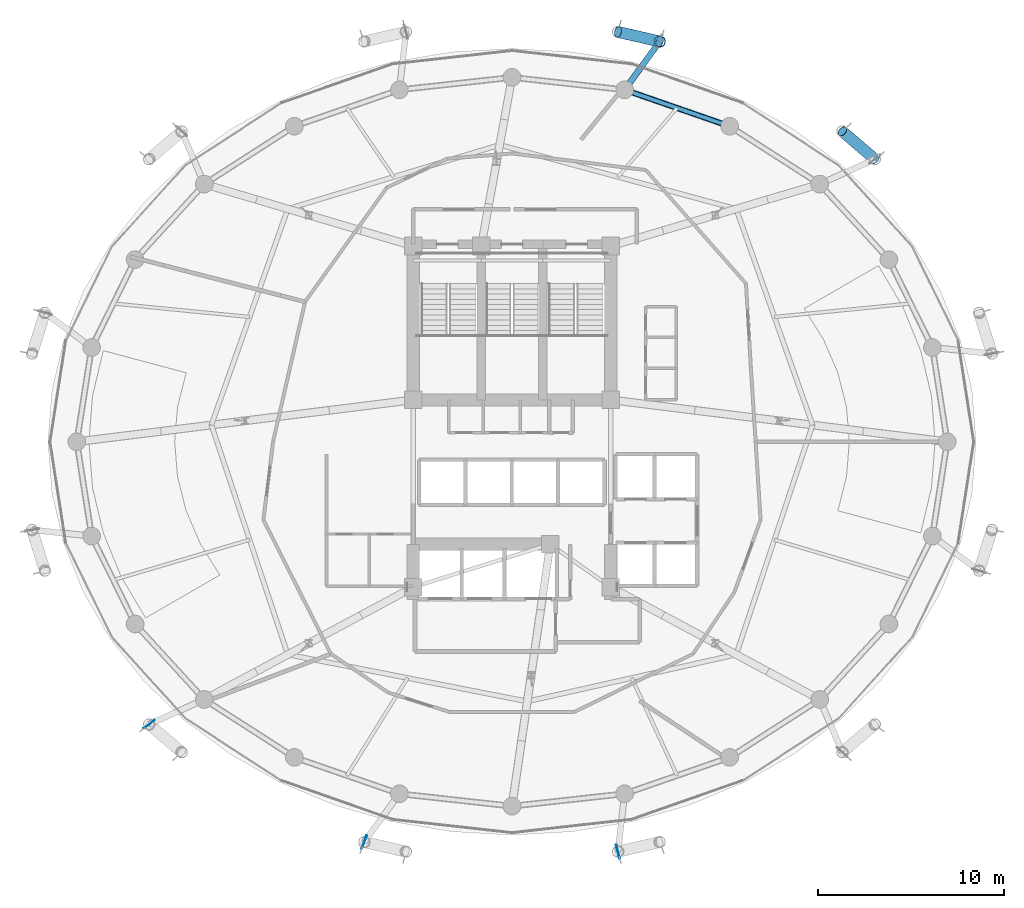
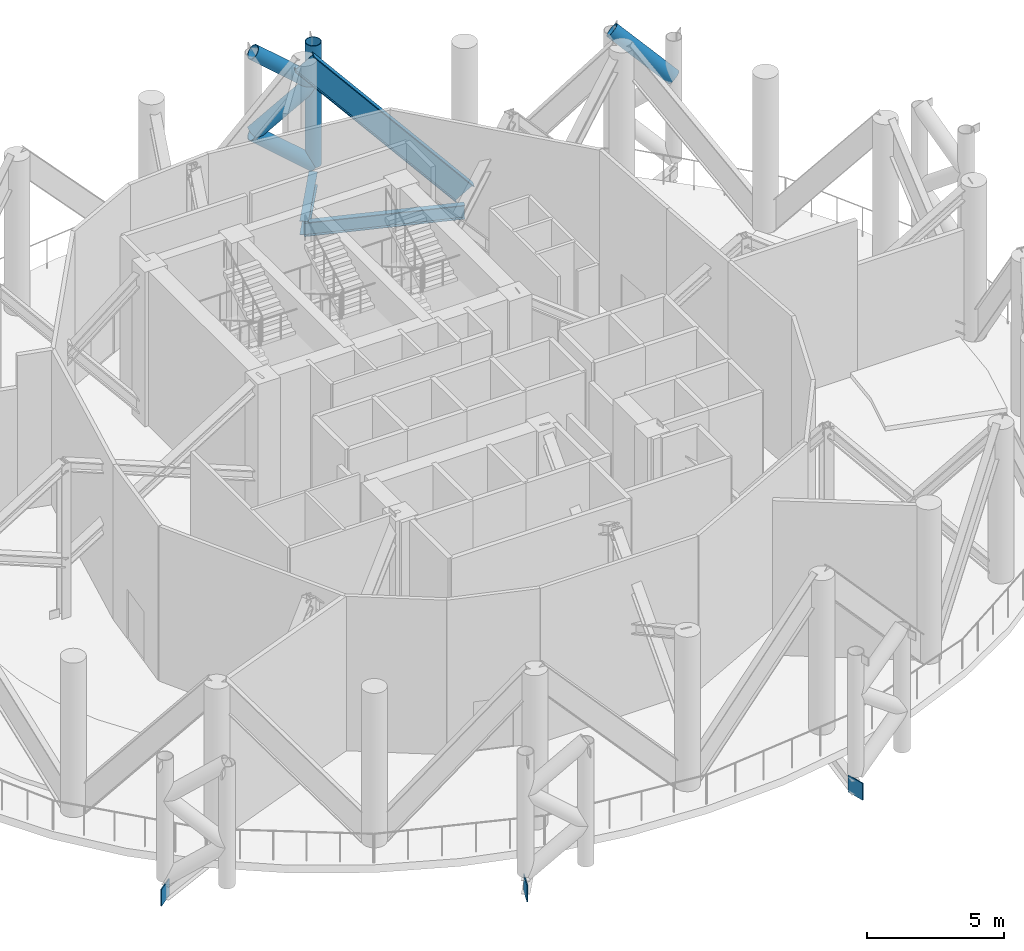
# One storey, part 4 of 18: 6 members, 3 plates, 2 beams.
"""IFC4 building model written with IfcOpenShell, lengths in metres."""

import ifcopenshell
import ifcopenshell.guid

model = None  # the IFC model being written
_history = None  # IfcOwnerHistory: only IFC2X3 demands one
_inside = {}  # id of a spatial element -> (the spatial element, [elements in it])
_under = {}  # id of a project, library or spatial element -> (it, [spatial elements below it])
_declared = {}  # id of a project -> (the project, [libraries it declares])
_typed = {}  # id of a type object -> (the type object, [elements of that type])
_made_of = {}  # id of a material, layer set ... -> (it, [elements and type objects made of it])


def new_model(schema):
    """Start an empty IFC model of exactly this schema.

    Asked for "IFC4X3", IfcOpenShell would pick the latest addendum, in which some entities
    have other attributes; the version numbers below select the first issue.
    IFC2X3 requires an IfcOwnerHistory on every rooted entity: one is made here for all.
    """
    global model, _history
    if schema == "IFC4X3":
        model = ifcopenshell.file(schema_version=(4, 3, 0, 0))
    else:
        model = ifcopenshell.file(schema=schema)
    _inside.clear()
    _under.clear()
    _declared.clear()
    _typed.clear()
    _made_of.clear()
    _history = None
    if model.schema == "IFC2X3":
        org = make("IfcOrganization", Name="unknown")
        user = make(
            "IfcPersonAndOrganization",
            ThePerson=make("IfcPerson", FamilyName="unknown"),
            TheOrganization=org,
        )
        app = make(
            "IfcApplication",
            ApplicationDeveloper=org,
            Version="unknown",
            ApplicationFullName="unknown",
            ApplicationIdentifier="unknown",
        )
        _history = make(
            "IfcOwnerHistory",
            OwningUser=user,
            OwningApplication=app,
            ChangeAction="ADDED",
            CreationDate=0,
        )
    return model


def make(cls, **values):
    """One entity of the class cls with the attributes given. An attribute that is None is left unset."""
    return model.create_entity(
        cls, **{name: value for name, value in values.items() if value is not None}
    )


def rooted(cls, **values):
    """An entity with a GlobalId (a new one), such as an element, a storey or a relation."""
    return make(cls, GlobalId=ifcopenshell.guid.new(), OwnerHistory=_history, **values)


def si_unit(unit_type, name, prefix=None):
    """IfcSIUnit, for example si_unit("LENGTHUNIT", "METRE", prefix="MILLI")."""
    return make("IfcSIUnit", UnitType=unit_type, Prefix=prefix, Name=name)


def assignment(units):
    """IfcUnitAssignment: the units of a project."""
    return None if units is None else make("IfcUnitAssignment", Units=units)


def point(xyz):
    """IfcCartesianPoint."""
    return None if xyz is None else make("IfcCartesianPoint", Coordinates=xyz)


def direction(xyz):
    """IfcDirection."""
    return None if xyz is None else make("IfcDirection", DirectionRatios=xyz)


def frame(location, z_axis=None, x_axis=None):
    """IfcAxis2Placement3D, a coordinate frame: its origin and axes. An axis left out is left unset."""
    return make(
        "IfcAxis2Placement3D",
        Location=point(location),
        Axis=direction(z_axis),
        RefDirection=direction(x_axis),
    )


def frame_2d(location, x_axis=None):
    """IfcAxis2Placement2D, a coordinate frame in the plane: its origin and x axis."""
    return make(
        "IfcAxis2Placement2D", Location=point(location), RefDirection=direction(x_axis)
    )


def origin():
    """The frame at (0, 0, 0) with its axes left unset."""
    return frame((0.0, 0.0, 0.0))


def origin_2d():
    """The frame at (0, 0) in the plane with its x axis left unset."""
    return frame_2d((0.0, 0.0))


def place(relative_to, where):
    """IfcLocalPlacement: puts the frame where relative to a parent placement (None: the world)."""
    return make(
        "IfcLocalPlacement", PlacementRelTo=relative_to, RelativePlacement=where
    )


def context(
    kind, dimensions, precision=None, world=None, true_north=None, identifier=None
):
    """IfcGeometricRepresentationContext, for example the 3D "Model" context."""
    return make(
        "IfcGeometricRepresentationContext",
        ContextIdentifier=identifier,
        ContextType=kind,
        CoordinateSpaceDimension=dimensions,
        Precision=precision,
        WorldCoordinateSystem=world,
        TrueNorth=true_north,
    )


def subcontext(parent, identifier, kind, view, scale=None):
    """IfcGeometricRepresentationSubContext, for example "Body" below "Model"."""
    return make(
        "IfcGeometricRepresentationSubContext",
        ContextIdentifier=identifier,
        ContextType=kind,
        ParentContext=parent,
        TargetScale=scale,
        TargetView=view,
    )


def project(units=None, contexts=None):
    """IfcProject with its units and contexts."""
    return rooted(
        "IfcProject",
        Name="project",
        RepresentationContexts=contexts,
        UnitsInContext=assignment(units),
    )


def spatial(cls, under=None, at=None, **own):
    """A site, building, storey or space (cls), placed at a placement, below another one or the project."""
    s = rooted(cls, ObjectPlacement=at, **own)
    if under is not None:
        _under.setdefault(under.id(), (under, []))[1].append(s)
    return s


def profile(cls, at=None, kind="AREA", **sizes):
    """A parametric profile (cls). Its sizes go by their IFC names, for example OverallWidth=200.0."""
    return make(cls, ProfileType=kind, Position=at, **sizes)


def rectangle(**sizes):
    """IfcRectangleProfileDef."""
    return profile("IfcRectangleProfileDef", **sizes)


def hollow_circle(**sizes):
    """IfcCircleHollowProfileDef."""
    return profile("IfcCircleHollowProfileDef", **sizes)


def i_section(**sizes):
    """IfcIShapeProfileDef."""
    return profile("IfcIShapeProfileDef", **sizes)


def extrude(swept, where, along, depth):
    """IfcExtrudedAreaSolid: the profile swept, set in the frame where, extruded along a direction by depth."""
    return make(
        "IfcExtrudedAreaSolid",
        SweptArea=swept,
        Position=where,
        ExtrudedDirection=direction(along),
        Depth=depth,
    )


def shape(context_of_items, identifier, shape_type, items):
    """IfcShapeRepresentation: the items that make up one representation, for example the "Body"."""
    return make(
        "IfcShapeRepresentation",
        ContextOfItems=context_of_items,
        RepresentationIdentifier=identifier,
        RepresentationType=shape_type,
        Items=items,
    )


def material(Name=None, Category=None):
    """IfcMaterial."""
    return make("IfcMaterial", Name=Name, Category=Category)


def layer(
    of_material, thickness, ventilated=None, Name=None, Category=None, Priority=None
):
    """IfcMaterialLayer: one layer of a wall or slab, of a material (None: an air gap)."""
    return make(
        "IfcMaterialLayer",
        Material=of_material,
        LayerThickness=thickness,
        IsVentilated=ventilated,
        Name=Name,
        Category=Category,
        Priority=Priority,
    )


def layer_set(layers, Name=None):
    """IfcMaterialLayerSet."""
    return make("IfcMaterialLayerSet", MaterialLayers=layers, LayerSetName=Name)


def material_profile(
    of_material, cross_section, Name=None, Category=None, Priority=None
):
    """IfcMaterialProfile: a cross section and its material."""
    return make(
        "IfcMaterialProfile",
        Name=Name,
        Material=of_material,
        Profile=cross_section,
        Priority=Priority,
        Category=Category,
    )


def profile_set(profiles, Name=None, composite=None):
    """IfcMaterialProfileSet."""
    return make(
        "IfcMaterialProfileSet",
        Name=Name,
        MaterialProfiles=profiles,
        CompositeProfile=composite,
    )


def made_of(thing, what):
    """Note that an element or type object is made of a material, layer set ...; save() writes the relation."""
    if what is not None:
        _made_of.setdefault(what.id(), (what, []))[1].append(thing)
    return thing


def type_object(cls, material=None, **own):
    """A type object (cls), such as IfcWallType, which elements share."""
    return made_of(rooted(cls, **own), material)


def element(
    cls,
    number,
    at=None,
    inside=None,
    cuts=None,
    type_object=None,
    material=None,
    context=None,
    identifier="Body",
    shape_type=None,
    held_by="IfcProductDefinitionShape",
    body=None,
    shapes=None,
    **own,
):
    """One element of the class cls, such as IfcWall. Its Tag is "e" and its number.

    at: its placement. inside: the storey or other place that contains it. cuts: it is an
    opening in that element (IfcRelVoidsElement). A single representation is given by context,
    identifier, shape_type and body (its items); several are given by shapes. held_by: the class
    of the entity that holds the representations. save() writes the other relations.
    """
    e = rooted(cls, Tag="e%d" % number, ObjectPlacement=at, **own)
    if body is not None:
        shapes = [shape(context, identifier, shape_type, body)]
    if shapes is not None:
        e.Representation = make(held_by, Representations=shapes)
    if inside is not None:
        _inside.setdefault(inside.id(), (inside, []))[1].append(e)
    if cuts is not None:
        rooted(
            "IfcRelVoidsElement", RelatingBuildingElement=cuts, RelatedOpeningElement=e
        )
    if type_object is not None:
        _typed.setdefault(type_object.id(), (type_object, []))[1].append(e)
    return made_of(e, material)


def aggregate(whole, parts):
    """IfcRelAggregates: a whole, such as a stair, and the parts it consists of."""
    return rooted("IfcRelAggregates", RelatingObject=whole, RelatedObjects=parts)


def save(model, path):
    """Write the relations noted so far, then the file.

    IfcRelAggregates (storeys below a building ...), IfcRelContainedInSpatialStructure (elements
    in a storey), IfcRelDefinesByType, IfcRelAssociatesMaterial and IfcRelDeclares: one each for
    every whole, place, type object, material and project.
    """
    for whole, parts in _under.values():
        aggregate(whole, parts)
    for where, things in _inside.values():
        rooted(
            "IfcRelContainedInSpatialStructure",
            RelatedElements=things,
            RelatingStructure=where,
        )
    for kind, things in _typed.values():
        rooted("IfcRelDefinesByType", RelatedObjects=things, RelatingType=kind)
    for what, things in _made_of.values():
        rooted("IfcRelAssociatesMaterial", RelatedObjects=things, RelatingMaterial=what)
    for by, libraries in _declared.values():
        rooted("IfcRelDeclares", RelatingContext=by, RelatedDefinitions=libraries)
    model.write(path)


model = new_model("IFC4")

# Units and contexts
model_context = context("Model", 3, precision=1e-05, world=origin(), true_north=direction((0.0, 1.0)))
body_context = subcontext(model_context, "Body", "Model", "MODEL_VIEW")
ifc_project = project(units=[si_unit("LENGTHUNIT", "METRE"), si_unit("AREAUNIT", "SQUARE_METRE"), si_unit("VOLUMEUNIT", "CUBIC_METRE"), si_unit("PLANEANGLEUNIT", "RADIAN"), si_unit("MASSUNIT", "GRAM", prefix="KILO")], contexts=[model_context])

# Site, building, storey
site_placement = place(None, origin())
site = spatial("IfcSite", under=ifc_project, at=site_placement, CompositionType="ELEMENT")
building_placement = place(site_placement, origin())
building = spatial("IfcBuilding", under=site, at=building_placement, Name="Nuhasar Tower", CompositionType="ELEMENT")
storey_placement = place(building_placement, frame((0.0, 0.0, 195.949951171875)))
storey = spatial("IfcBuildingStorey", under=building, at=storey_placement, Name="L48", CompositionType="ELEMENT", Elevation=195.949951171875)

# Member
ifc_material_1 = material(Name="Steel S460", Category="steel")
ifc_material_profile_1 = material_profile(ifc_material_1, i_section(OverallWidth=0.306884765625, OverallDepth=0.927001953125, WebThickness=0.019287109375, FlangeThickness=0.031982421875, at=origin_2d()), Name="W36X194")
ifc_profile_set_1 = profile_set([ifc_material_profile_1], Name="Steel S460")
member_type_1 = type_object("IfcMemberType", Name="BLT-DIAG-W36B", PredefinedType="CHORD", material=ifc_profile_set_1)
member_1_placement = place(storey_placement, frame((50.675048828125, 43.73095703125, 0.150146484375), z_axis=(-0.634344465862, 0.219981608518, 0.741090541395), x_axis=(-0.327643636066, -0.944801380051, 0.0)))
element("IfcMember", 1, at=member_1_placement, inside=storey, type_object=member_type_1, Name="L48 Belt Truss Diagonal 05", PredefinedType="CHORD", context=body_context, shape_type="SweptSolid", body=[
    extrude(i_section(OverallWidth=0.306884765625, OverallDepth=0.927001953125, WebThickness=0.019287109375, FlangeThickness=0.031982421875, at=origin_2d()), origin(), (0.0, 0.0, 1.0), 8.878662109375),
])

# Beams
ifc_material_2 = material(Name="Steel S355", Category="steel")
ifc_material_profile_2 = material_profile(ifc_material_2, i_section(OverallWidth=0.22998046875, OverallDepth=0.616943359375, WebThickness=0.01318359375, FlangeThickness=0.022216796875, at=origin_2d()), Name="W24X94")
ifc_profile_set_2 = profile_set([ifc_material_profile_2], Name="Steel S355")
beam_type_1 = type_object("IfcBeamType", Name="BM-RING-W24X94", PredefinedType="SPANDREL", material=ifc_profile_set_2)
beam_1_placement = place(storey_placement, frame((50.675048828125, 43.73095703125, -0.658935546875), z_axis=(-0.944801380051, 0.327643636066, 0.0), x_axis=(-0.327643636066, -0.944801380051, 0.0)))
element("IfcBeam", 2, at=beam_1_placement, inside=storey, type_object=beam_type_1, Name="L48 Perimeter Ring Spandrel 05", PredefinedType="SPANDREL", context=body_context, shape_type="SweptSolid", body=[
    extrude(i_section(OverallWidth=0.22998046875, OverallDepth=0.616943359375, WebThickness=0.01318359375, FlangeThickness=0.022216796875, at=origin_2d()), origin(), (0.0, 0.0, 1.0), 5.961181640625),
])
ifc_material_profile_3 = material_profile(ifc_material_2, i_section(OverallWidth=0.323974609375, OverallDepth=0.611083984375, WebThickness=0.0126953125, FlangeThickness=0.01904296875, at=origin_2d()), Name="W24X104")
ifc_profile_set_3 = profile_set([ifc_material_profile_3], Name="Steel S355")
beam_type_2 = type_object("IfcBeamType", Name="BM-TIE-W24X104", PredefinedType="BEAM", material=ifc_profile_set_3)
beam_2_placement = place(storey_placement, frame((45.04296875, 45.68408203125, -0.656005859375), z_axis=(0.588185286445, 0.808726201387, 0.0), x_axis=(-0.808726201387, 0.588185286445, 0.0)))
element("IfcBeam", 3, at=beam_2_placement, inside=storey, type_object=beam_type_2, Name="L48 Exoskeleton Node Tie Beam 03", PredefinedType="BEAM", context=body_context, shape_type="SweptSolid", body=[
    extrude(i_section(OverallWidth=0.323974609375, OverallDepth=0.611083984375, WebThickness=0.0126953125, FlangeThickness=0.01904296875, at=origin_2d()), origin(), (0.0, 0.0, 1.0), 3.204833984375),
])

# Members
ifc_material_profile_4 = material_profile(ifc_material_1, hollow_circle(Radius=0.304931640625, WallThickness=0.025390625, at=origin_2d()), Name="HSS610X25.4")
ifc_profile_set_4 = profile_set([ifc_material_profile_4], Name="Steel S460")
member_type_2 = type_object("IfcMemberType", Name="EXO-BRONZE-610", PredefinedType="BRACE", material=ifc_profile_set_4)
member_2_placement = place(storey_placement, frame((46.927978515625, 48.27587890625, 0.0), z_axis=(0.0, 0.0, 1.0), x_axis=(1.0, 0.0, 0.0)))
element("IfcMember", 4, at=member_2_placement, inside=storey, type_object=member_type_2, Name="L48 Exoskeleton Chord Column EC-03A", PredefinedType="BRACE", context=body_context, shape_type="SweptSolid", body=[
    extrude(hollow_circle(Radius=0.304931640625, WallThickness=0.025390625, at=origin_2d()), origin(), (0.0, 0.0, 1.0), 5.429931640625),
])
member_3_placement = place(storey_placement, frame((58.470947265625, 41.9619140625, 3.6201171875), z_axis=(-0.5972443964, 0.51082746977, 0.618348143926), x_axis=(-0.649986859795, -0.759945446788, 0.0)))
element("IfcMember", 5, at=member_3_placement, inside=storey, type_object=member_type_2, Name="L48 Bronze Diagrid Brace W3-02", PredefinedType="BRACE", context=body_context, shape_type="SweptSolid", body=[
    extrude(hollow_circle(Radius=0.304931640625, WallThickness=0.025390625, at=origin_2d()), origin(), (0.0, 0.0, 1.0), 2.9267578125),
])
for number, where, z_axis, x_axis, name in (
    (6, (46.927978515625, 48.27587890625, 0.0), (-0.765968109911, 0.175664689042, 0.618413107577), (-0.223533724104, -0.974696195842, 0.0), "L48 Bronze Diagrid Brace W1-03"),
    (7, (44.68603515625, 48.7900390625, 1.81005859375), (0.765968109911, -0.175664689042, 0.618413107577), (0.223533724104, 0.974696195842, 0.0), "L48 Bronze Diagrid Brace W2-03"),
):
    element("IfcMember", number, at=place(storey_placement, frame(where, z_axis=z_axis, x_axis=x_axis)), inside=storey, type_object=member_type_2, Name=name, PredefinedType="BRACE", context=body_context, shape_type="SweptSolid", body=[
        extrude(hollow_circle(Radius=0.304931640625, WallThickness=0.025390625, at=origin_2d()), origin(), (0.0, 0.0, 1.0), 2.927001953125),
    ])
member_4_placement = place(storey_placement, frame((46.927978515625, 48.27587890625, 3.6201171875), z_axis=(-0.766007621072, 0.175673750406, 0.618361591529), x_axis=(-0.223533724104, -0.974696195842, 0.0)))
element("IfcMember", 8, at=member_4_placement, inside=storey, type_object=member_type_2, Name="L48 Bronze Diagrid Brace W3-03", PredefinedType="BRACE", context=body_context, shape_type="SweptSolid", body=[
    extrude(hollow_circle(Radius=0.304931640625, WallThickness=0.025390625, at=origin_2d()), origin(), (0.0, 0.0, 1.0), 2.9267578125),
])

# Plates
ifc_layer = layer(ifc_material_1, 0.0400390625)
ifc_layer_set = layer_set([ifc_layer], Name="Steel S460")
plate_type = type_object("IfcPlateType", Name="PLT-GUSSET-40", PredefinedType="SHEET", material=ifc_layer_set)
for number, where, z_axis, x_axis, name in (
    (9, (19.529052734375, 11.637939453125, -1.031005859375), (0.0, 0.0, 1.0), (-0.788998306749, -0.614395371034, 0.0), "L48 Bronze Diagrid Gusset Node Plate 08"),
    (10, (31.072021484375, 5.323974609375, -1.031005859375), (0.0, 0.0, 1.0), (-0.346313543819, -0.938118824759, 0.0), "L48 Bronze Diagrid Gusset Node Plate 09"),
    (11, (44.68603515625, 4.81005859375, -1.031005859375), (0.0, 0.0, 1.0), (0.250346209174, -0.968156379699, 0.0), "L48 Bronze Diagrid Gusset Node Plate 10"),
):
    element("IfcPlate", number, at=place(storey_placement, frame(where, z_axis=z_axis, x_axis=x_axis)), inside=storey, type_object=plate_type, Name=name, PredefinedType="SHEET", context=body_context, shape_type="SweptSolid", body=[
        extrude(rectangle(XDim=0.75, YDim=0.0400390625, at=origin_2d()), origin(), (0.0, 0.0, 1.0), 0.75),
    ])

save(model, "model.ifc")
